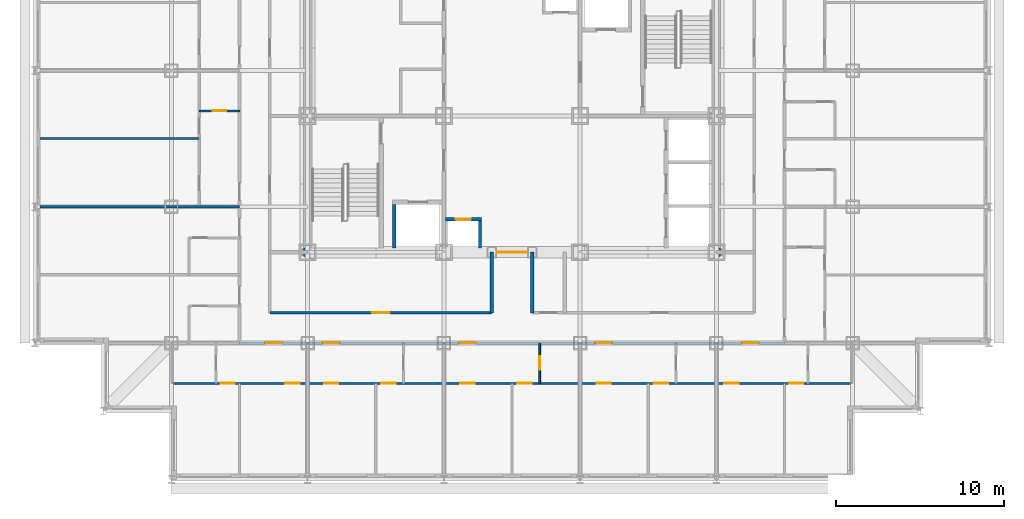
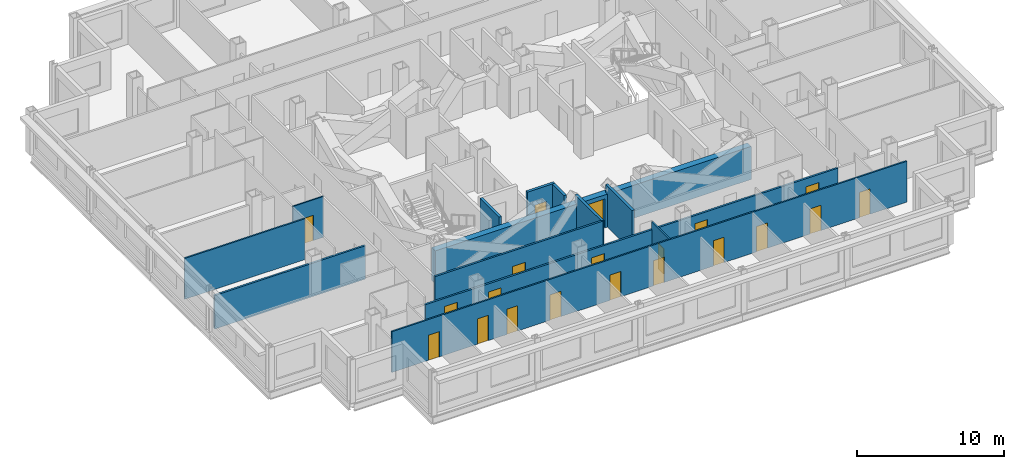
# One storey, part 5 of 12: 20 doors, 13 walls, 20 openings.
"""IFC4 building model written with IfcOpenShell, lengths in metres."""

from ifc_helpers import new_model, si_unit, direction, frame, frame_2d, origin, place, context, subcontext, project, spatial, rectangle, extrude, material, layer, layer_set, type_object, element, fill, save


model = new_model("IFC4")

# Units and contexts
model_context = context("Model", 3, precision=1e-05, world=origin(), true_north=direction((0.0, 1.0)))
body_context = subcontext(model_context, "Body", "Model", "MODEL_VIEW")
ifc_project = project(units=[si_unit("LENGTHUNIT", "METRE"), si_unit("AREAUNIT", "SQUARE_METRE"), si_unit("VOLUMEUNIT", "CUBIC_METRE"), si_unit("PLANEANGLEUNIT", "RADIAN"), si_unit("MASSUNIT", "GRAM", prefix="KILO")], contexts=[model_context])

# Site, building, storey
site_placement = place(None, origin())
site = spatial("IfcSite", under=ifc_project, at=site_placement, CompositionType="ELEMENT")
building_placement = place(site_placement, origin())
building = spatial("IfcBuilding", under=site, at=building_placement, Name="Kopane Lantern Tower", CompositionType="ELEMENT")
storey_placement = place(building_placement, frame((0.0, 0.0, 184.800048828125)))
storey = spatial("IfcBuildingStorey", under=building, at=storey_placement, Name="L47", CompositionType="ELEMENT", Elevation=184.800048828125)

# Wall
ifc_material_1 = material(Name="Gypsum board on steel studs", Category="steel")
ifc_layer_1 = layer(ifc_material_1, 0.1201171875)
ifc_layer_set_1 = layer_set([ifc_layer_1], Name="APARTMENT INTERNAL WALL 120")
wall_type_1 = type_object("IfcWallType", Name="APARTMENT INTERNAL WALL 120", PredefinedType="PARTITIONING", material=ifc_layer_set_1)
wall_1_placement = place(storey_placement, frame((9.75, 31.050048828125, 0.0), z_axis=(0.0, 0.0, 1.0), x_axis=(-1.0, 0.0, 0.0)))
element("IfcWall", 1, at=wall_1_placement, inside=storey, type_object=wall_type_1, Name="Apartment Internal Wall 120 L47", PredefinedType="PARTITIONING", context=body_context, shape_type="SweptSolid", body=[
    extrude(rectangle(XDim=9.449951171875, YDim=0.1201171875, at=frame_2d((4.72509765625, 0.0))), origin(), (0.0, 0.0, 1.0), 3.389892578125),
])

# Wall, openings, doors
wall_2_placement = place(storey_placement, frame((8.14990234375, 16.5, 0.0), z_axis=(0.0, 0.0, 1.0), x_axis=(1.0, 0.0, 0.0)))
wall_2 = element("IfcWall", 2, at=wall_2_placement, inside=storey, type_object=wall_type_1, Name="Apartment Internal Wall 120 L47", PredefinedType="PARTITIONING", context=body_context, shape_type="SweptSolid", body=[
    extrude(rectangle(XDim=40.400146484375, YDim=0.1201171875, at=frame_2d((20.2001953125, 0.0))), origin(), (0.0, 0.0, 1.0), 3.389892578125),
])
opening_1_placement = place(wall_2_placement, frame((9.02490234375, 0.0, 0.0)))
opening_1 = element("IfcOpeningElement", 3, at=opening_1_placement, cuts=wall_2, Name="Opening L47-014", PredefinedType="OPENING", context=body_context, shape_type="SweptSolid", body=[
    extrude(rectangle(XDim=0.85009765625, YDim=2.10009765625, at=frame_2d((0.425048828125, 1.050048828125))), frame((0.0, 0.070068359375, 0.0), z_axis=(0.0, -1.0, 0.0), x_axis=(1.0, 0.0, 0.0)), (0.0, 0.0, 1.0), 0.14013671875),
])
opening_2_placement = place(wall_2_placement, frame((12.425048828125, 0.0, 0.0)))
opening_2 = element("IfcOpeningElement", 4, at=opening_2_placement, cuts=wall_2, Name="Opening L47-015", PredefinedType="OPENING", context=body_context, shape_type="SweptSolid", body=[
    extrude(rectangle(XDim=0.85009765625, YDim=2.10009765625, at=frame_2d((0.425048828125, 1.050048828125))), frame((0.0, 0.070068359375, 0.0), z_axis=(0.0, -1.0, 0.0), x_axis=(1.0, 0.0, 0.0)), (0.0, 0.0, 1.0), 0.14013671875),
])
opening_3_placement = place(wall_2_placement, frame((17.125, 0.0, 0.0)))
opening_3 = element("IfcOpeningElement", 5, at=opening_3_placement, cuts=wall_2, Name="Opening L47-018", PredefinedType="OPENING", context=body_context, shape_type="SweptSolid", body=[
    extrude(rectangle(XDim=0.85009765625, YDim=2.10009765625, at=frame_2d((0.425048828125, 1.050048828125))), frame((0.0, 0.070068359375, 0.0), z_axis=(0.0, -1.0, 0.0), x_axis=(1.0, 0.0, 0.0)), (0.0, 0.0, 1.0), 0.14013671875),
])
opening_4_placement = place(wall_2_placement, frame((20.52490234375, 0.0, 0.0)))
opening_4 = element("IfcOpeningElement", 6, at=opening_4_placement, cuts=wall_2, Name="Opening L47-019", PredefinedType="OPENING", context=body_context, shape_type="SweptSolid", body=[
    extrude(rectangle(XDim=0.85009765625, YDim=2.10009765625, at=frame_2d((0.425048828125, 1.050048828125))), frame((0.0, 0.070068359375, 0.0), z_axis=(0.0, -1.0, 0.0), x_axis=(1.0, 0.0, 0.0)), (0.0, 0.0, 1.0), 0.14013671875),
])
opening_5_placement = place(wall_2_placement, frame((25.22509765625, 0.0, 0.0)))
opening_5 = element("IfcOpeningElement", 7, at=opening_5_placement, cuts=wall_2, Name="Opening L47-022", PredefinedType="OPENING", context=body_context, shape_type="SweptSolid", body=[
    extrude(rectangle(XDim=0.85009765625, YDim=2.10009765625, at=frame_2d((0.425048828125, 1.050048828125))), frame((0.0, 0.070068359375, 0.0), z_axis=(0.0, -1.0, 0.0), x_axis=(1.0, 0.0, 0.0)), (0.0, 0.0, 1.0), 0.14013671875),
])
opening_6_placement = place(wall_2_placement, frame((28.625, 0.0, 0.0)))
opening_6 = element("IfcOpeningElement", 8, at=opening_6_placement, cuts=wall_2, Name="Opening L47-023", PredefinedType="OPENING", context=body_context, shape_type="SweptSolid", body=[
    extrude(rectangle(XDim=0.85009765625, YDim=2.10009765625, at=frame_2d((0.425048828125, 1.050048828125))), frame((0.0, 0.070068359375, 0.0), z_axis=(0.0, -1.0, 0.0), x_axis=(1.0, 0.0, 0.0)), (0.0, 0.0, 1.0), 0.14013671875),
])
opening_7_placement = place(wall_2_placement, frame((6.72509765625, 0.0, 0.0)))
opening_7 = element("IfcOpeningElement", 9, at=opening_7_placement, cuts=wall_2, Name="Opening L47-061", PredefinedType="OPENING", context=body_context, shape_type="SweptSolid", body=[
    extrude(rectangle(XDim=0.85009765625, YDim=2.10009765625, at=frame_2d((0.425048828125, 1.050048828125))), frame((0.0, 0.070068359375, 0.0), z_axis=(0.0, -1.0, 0.0), x_axis=(1.0, 0.0, 0.0)), (0.0, 0.0, 1.0), 0.14013671875),
])
opening_8_placement = place(wall_2_placement, frame((2.875, 0.0, 0.0)))
opening_8 = element("IfcOpeningElement", 10, at=opening_8_placement, cuts=wall_2, Name="Opening L47-063", PredefinedType="OPENING", context=body_context, shape_type="SweptSolid", body=[
    extrude(rectangle(XDim=0.85009765625, YDim=2.10009765625, at=frame_2d((0.425048828125, 1.050048828125))), frame((0.0, 0.070068359375, 0.0), z_axis=(0.0, -1.0, 0.0), x_axis=(1.0, 0.0, 0.0)), (0.0, 0.0, 1.0), 0.14013671875),
])
opening_9_placement = place(wall_2_placement, frame((32.824951171875, 0.0, 0.0)))
opening_9 = element("IfcOpeningElement", 11, at=opening_9_placement, cuts=wall_2, Name="Opening L47-065", PredefinedType="OPENING", context=body_context, shape_type="SweptSolid", body=[
    extrude(rectangle(XDim=0.85009765625, YDim=2.10009765625, at=frame_2d((0.425048828125, 1.050048828125))), frame((0.0, 0.070068359375, 0.0), z_axis=(0.0, -1.0, 0.0), x_axis=(1.0, 0.0, 0.0)), (0.0, 0.0, 1.0), 0.14013671875),
])
opening_10_placement = place(wall_2_placement, frame((36.675048828125, 0.0, 0.0)))
opening_10 = element("IfcOpeningElement", 12, at=opening_10_placement, cuts=wall_2, Name="Opening L47-067", PredefinedType="OPENING", context=body_context, shape_type="SweptSolid", body=[
    extrude(rectangle(XDim=0.85009765625, YDim=2.10009765625, at=frame_2d((0.425048828125, 1.050048828125))), frame((0.0, 0.070068359375, 0.0), z_axis=(0.0, -1.0, 0.0), x_axis=(1.0, 0.0, 0.0)), (0.0, 0.0, 1.0), 0.14013671875),
])
ifc_material_2 = material(Name="Timber door set", Category="wood")
door_type_1 = type_object("IfcDoorType", Name="DOOR D4 850x2100", OperationType="SINGLE_SWING_LEFT", PredefinedType="DOOR", material=ifc_material_2)
door_1_placement = place(opening_1_placement, origin())
door_1 = element("IfcDoor", 13, at=door_1_placement, inside=storey, type_object=door_type_1, Name="Door L47-014", OperationType="SINGLE_SWING_LEFT", OverallHeight=2.10009765625, OverallWidth=0.85009765625, PredefinedType="DOOR", context=body_context, shape_type="SweptSolid", body=[
    extrude(rectangle(XDim=0.85009765625, YDim=2.10009765625, at=frame_2d((0.425048828125, 1.050048828125))), frame((0.0, 0.02490234375, 0.0), z_axis=(0.0, -1.0, 0.0), x_axis=(1.0, 0.0, 0.0)), (0.0, 0.0, 1.0), 0.050048828125),
])
fill(opening_1, door_1)
door_2_placement = place(opening_2_placement, origin())
door_2 = element("IfcDoor", 14, at=door_2_placement, inside=storey, type_object=door_type_1, Name="Door L47-015", OperationType="SINGLE_SWING_RIGHT", OverallHeight=2.10009765625, OverallWidth=0.85009765625, PredefinedType="DOOR", context=body_context, shape_type="SweptSolid", body=[
    extrude(rectangle(XDim=0.85009765625, YDim=2.10009765625, at=frame_2d((0.425048828125, 1.050048828125))), frame((0.0, 0.02490234375, 0.0), z_axis=(0.0, -1.0, 0.0), x_axis=(1.0, 0.0, 0.0)), (0.0, 0.0, 1.0), 0.050048828125),
])
fill(opening_2, door_2)
door_3_placement = place(opening_3_placement, origin())
door_3 = element("IfcDoor", 15, at=door_3_placement, inside=storey, type_object=door_type_1, Name="Door L47-018", OperationType="SINGLE_SWING_LEFT", OverallHeight=2.10009765625, OverallWidth=0.85009765625, PredefinedType="DOOR", context=body_context, shape_type="SweptSolid", body=[
    extrude(rectangle(XDim=0.85009765625, YDim=2.10009765625, at=frame_2d((0.425048828125, 1.050048828125))), frame((0.0, 0.02490234375, 0.0), z_axis=(0.0, -1.0, 0.0), x_axis=(1.0, 0.0, 0.0)), (0.0, 0.0, 1.0), 0.050048828125),
])
fill(opening_3, door_3)
door_4_placement = place(opening_4_placement, origin())
door_4 = element("IfcDoor", 16, at=door_4_placement, inside=storey, type_object=door_type_1, Name="Door L47-019", OperationType="SINGLE_SWING_RIGHT", OverallHeight=2.10009765625, OverallWidth=0.85009765625, PredefinedType="DOOR", context=body_context, shape_type="SweptSolid", body=[
    extrude(rectangle(XDim=0.85009765625, YDim=2.10009765625, at=frame_2d((0.425048828125, 1.050048828125))), frame((0.0, 0.02490234375, 0.0), z_axis=(0.0, -1.0, 0.0), x_axis=(1.0, 0.0, 0.0)), (0.0, 0.0, 1.0), 0.050048828125),
])
fill(opening_4, door_4)
door_5_placement = place(opening_5_placement, origin())
door_5 = element("IfcDoor", 17, at=door_5_placement, inside=storey, type_object=door_type_1, Name="Door L47-022", OperationType="SINGLE_SWING_LEFT", OverallHeight=2.10009765625, OverallWidth=0.85009765625, PredefinedType="DOOR", context=body_context, shape_type="SweptSolid", body=[
    extrude(rectangle(XDim=0.85009765625, YDim=2.10009765625, at=frame_2d((0.425048828125, 1.050048828125))), frame((0.0, 0.02490234375, 0.0), z_axis=(0.0, -1.0, 0.0), x_axis=(1.0, 0.0, 0.0)), (0.0, 0.0, 1.0), 0.050048828125),
])
fill(opening_5, door_5)
door_6_placement = place(opening_6_placement, origin())
door_6 = element("IfcDoor", 18, at=door_6_placement, inside=storey, type_object=door_type_1, Name="Door L47-023", OperationType="SINGLE_SWING_RIGHT", OverallHeight=2.10009765625, OverallWidth=0.85009765625, PredefinedType="DOOR", context=body_context, shape_type="SweptSolid", body=[
    extrude(rectangle(XDim=0.85009765625, YDim=2.10009765625, at=frame_2d((0.425048828125, 1.050048828125))), frame((0.0, 0.02490234375, 0.0), z_axis=(0.0, -1.0, 0.0), x_axis=(1.0, 0.0, 0.0)), (0.0, 0.0, 1.0), 0.050048828125),
])
fill(opening_6, door_6)
door_7_placement = place(opening_7_placement, origin())
door_7 = element("IfcDoor", 19, at=door_7_placement, inside=storey, type_object=door_type_1, Name="Door L47-061", OperationType="SINGLE_SWING_RIGHT", OverallHeight=2.10009765625, OverallWidth=0.85009765625, PredefinedType="DOOR", context=body_context, shape_type="SweptSolid", body=[
    extrude(rectangle(XDim=0.85009765625, YDim=2.10009765625, at=frame_2d((0.425048828125, 1.050048828125))), frame((0.0, 0.02490234375, 0.0), z_axis=(0.0, -1.0, 0.0), x_axis=(1.0, 0.0, 0.0)), (0.0, 0.0, 1.0), 0.050048828125),
])
fill(opening_7, door_7)
door_8_placement = place(opening_8_placement, origin())
door_8 = element("IfcDoor", 20, at=door_8_placement, inside=storey, type_object=door_type_1, Name="Door L47-063", OperationType="SINGLE_SWING_LEFT", OverallHeight=2.10009765625, OverallWidth=0.85009765625, PredefinedType="DOOR", context=body_context, shape_type="SweptSolid", body=[
    extrude(rectangle(XDim=0.85009765625, YDim=2.10009765625, at=frame_2d((0.425048828125, 1.050048828125))), frame((0.0, 0.02490234375, 0.0), z_axis=(0.0, -1.0, 0.0), x_axis=(1.0, 0.0, 0.0)), (0.0, 0.0, 1.0), 0.050048828125),
])
fill(opening_8, door_8)
door_9_placement = place(opening_9_placement, origin())
door_9 = element("IfcDoor", 21, at=door_9_placement, inside=storey, type_object=door_type_1, Name="Door L47-065", OperationType="SINGLE_SWING_LEFT", OverallHeight=2.10009765625, OverallWidth=0.85009765625, PredefinedType="DOOR", context=body_context, shape_type="SweptSolid", body=[
    extrude(rectangle(XDim=0.85009765625, YDim=2.10009765625, at=frame_2d((0.425048828125, 1.050048828125))), frame((0.0, 0.02490234375, 0.0), z_axis=(0.0, -1.0, 0.0), x_axis=(1.0, 0.0, 0.0)), (0.0, 0.0, 1.0), 0.050048828125),
])
fill(opening_9, door_9)
door_10_placement = place(opening_10_placement, origin())
door_10 = element("IfcDoor", 22, at=door_10_placement, inside=storey, type_object=door_type_1, Name="Door L47-067", OperationType="SINGLE_SWING_RIGHT", OverallHeight=2.10009765625, OverallWidth=0.85009765625, PredefinedType="DOOR", context=body_context, shape_type="SweptSolid", body=[
    extrude(rectangle(XDim=0.85009765625, YDim=2.10009765625, at=frame_2d((0.425048828125, 1.050048828125))), frame((0.0, 0.02490234375, 0.0), z_axis=(0.0, -1.0, 0.0), x_axis=(1.0, 0.0, 0.0)), (0.0, 0.0, 1.0), 0.050048828125),
])
fill(opening_10, door_10)

# Wall, opening, door
ifc_material_3 = material(Name="Moisture-resistant board on steel studs", Category="steel")
ifc_layer_2 = layer(ifc_material_3, 0.10009765625)
ifc_layer_set_2 = layer_set([ifc_layer_2], Name="BATHROOM WALL 100")
wall_type_2 = type_object("IfcWallType", Name="BATHROOM WALL 100", PredefinedType="PARTITIONING", material=ifc_layer_set_2)
wall_3_placement = place(storey_placement, frame((30.0, 18.89990234375, 0.0), z_axis=(0.0, 0.0, 1.0), x_axis=(0.0, -1.0, 0.0)))
wall_3 = element("IfcWall", 23, at=wall_3_placement, inside=storey, type_object=wall_type_2, Name="Bathroom Wall 100 L47", PredefinedType="PARTITIONING", context=body_context, shape_type="SweptSolid", body=[
    extrude(rectangle(XDim=2.39990234375, YDim=0.10009765625, at=frame_2d((1.199951171875, 0.0))), origin(), (0.0, 0.0, 1.0), 3.389892578125),
])
opening_11_placement = place(wall_3_placement, frame((0.800048828125, 0.0, 0.0)))
opening_11 = element("IfcOpeningElement", 24, at=opening_11_placement, cuts=wall_3, Name="Opening L47-016", PredefinedType="OPENING", context=body_context, shape_type="SweptSolid", body=[
    extrude(rectangle(XDim=0.800048828125, YDim=2.10009765625, at=frame_2d((0.39990234375, 1.050048828125))), frame((0.0, 0.06005859375, 0.0), z_axis=(0.0, -1.0, 0.0), x_axis=(1.0, 0.0, 0.0)), (0.0, 0.0, 1.0), 0.1201171875),
])
ifc_material_4 = material(Name="Timber door set", Category="wood")
door_type_2 = type_object("IfcDoorType", Name="DOOR D2 800x2100", OperationType="SINGLE_SWING_LEFT", PredefinedType="DOOR", material=ifc_material_4)
door_11_placement = place(opening_11_placement, origin())
door_11 = element("IfcDoor", 25, at=door_11_placement, inside=storey, type_object=door_type_2, Name="Door L47-016", OperationType="SINGLE_SWING_LEFT", OverallHeight=2.10009765625, OverallWidth=0.800048828125, PredefinedType="DOOR", context=body_context, shape_type="SweptSolid", body=[
    extrude(rectangle(XDim=0.800048828125, YDim=2.10009765625, at=frame_2d((0.39990234375, 1.050048828125))), frame((0.0, 0.02490234375, 0.0), z_axis=(0.0, -1.0, 0.0), x_axis=(1.0, 0.0, 0.0)), (0.0, 0.0, 1.0), 0.050048828125),
])
fill(opening_11, door_11)

wall_4_placement = place(storey_placement, frame((12.14990234375, 32.699951171875, 0.0), z_axis=(0.0, 0.0, 1.0), x_axis=(-1.0, 0.0, 0.0)))
wall_4 = element("IfcWall", 26, at=wall_4_placement, inside=storey, type_object=wall_type_2, Name="Bathroom Wall 100 L47", PredefinedType="PARTITIONING", context=body_context, shape_type="SweptSolid", body=[
    extrude(rectangle(XDim=2.39990234375, YDim=0.10009765625, at=frame_2d((1.199951171875, 0.0))), origin(), (0.0, 0.0, 1.0), 3.389892578125),
])
opening_12_placement = place(wall_4_placement, frame((0.800048828125, 0.0, 0.0)))
opening_12 = element("IfcOpeningElement", 27, at=opening_12_placement, cuts=wall_4, Name="Opening L47-036", PredefinedType="OPENING", context=body_context, shape_type="SweptSolid", body=[
    extrude(rectangle(XDim=0.800048828125, YDim=2.10009765625, at=frame_2d((0.39990234375, 1.050048828125))), frame((0.0, 0.06005859375, 0.0), z_axis=(0.0, -1.0, 0.0), x_axis=(1.0, 0.0, 0.0)), (0.0, 0.0, 1.0), 0.1201171875),
])
door_12_placement = place(opening_12_placement, origin())
door_12 = element("IfcDoor", 28, at=door_12_placement, inside=storey, type_object=door_type_2, Name="Door L47-036", OperationType="SINGLE_SWING_RIGHT", OverallHeight=2.10009765625, OverallWidth=0.800048828125, PredefinedType="DOOR", context=body_context, shape_type="SweptSolid", body=[
    extrude(rectangle(XDim=0.800048828125, YDim=2.10009765625, at=frame_2d((0.39990234375, 1.050048828125))), frame((0.0, 0.02490234375, 0.0), z_axis=(0.0, -1.0, 0.0), x_axis=(1.0, 0.0, 0.0)), (0.0, 0.0, 1.0), 0.050048828125),
])
fill(opening_12, door_12)

ifc_material_5 = material(Name="Gypsum shaft wall EI 120", Category="gypsum")
ifc_layer_3 = layer(ifc_material_5, 0.5)
ifc_layer_set_3 = layer_set([ifc_layer_3], Name="CORE PERIMETER WALL 500 EI 120")
wall_type_3 = type_object("IfcWallType", Name="CORE PERIMETER WALL 500 EI 120", PredefinedType="SOLIDWALL", material=ifc_layer_set_3)
wall_5_placement = place(storey_placement, frame((15.949951171875, 24.300048828125, 0.0), z_axis=(0.0, 0.0, 1.0), x_axis=(1.0, 0.0, 0.0)))
wall_5 = element("IfcWall", 29, at=wall_5_placement, inside=storey, type_object=wall_type_3, Name="Core shaft wall L47 PS", PredefinedType="SOLIDWALL", context=body_context, shape_type="SweptSolid", body=[
    extrude(rectangle(XDim=24.800048828125, YDim=0.5, at=frame_2d((12.39990234375, 0.0))), origin(), (0.0, 0.0, 1.0), 2.739990234375),
])
opening_13_placement = place(wall_5_placement, frame((11.5, 0.0, 0.0)))
opening_13 = element("IfcOpeningElement", 30, at=opening_13_placement, cuts=wall_5, Name="Opening 47.CE-S", PredefinedType="OPENING", context=body_context, shape_type="SweptSolid", body=[
    extrude(rectangle(XDim=1.800048828125, YDim=2.39990234375, at=frame_2d((0.89990234375, 1.199951171875))), frame((0.0, 0.260009765625, 0.0), z_axis=(0.0, -1.0, 0.0), x_axis=(1.0, 0.0, 0.0)), (0.0, 0.0, 1.0), 0.52001953125),
])
ifc_material_6 = material(Name="Steel door set", Category="steel")
door_type_3 = type_object("IfcDoorType", Name="CORE ENTRY DOOR 1800x2400 FD60S", OperationType="DOUBLE_DOOR_SINGLE_SWING", PredefinedType="DOOR", material=ifc_material_6)
door_13_placement = place(opening_13_placement, origin())
door_13 = element("IfcDoor", 31, at=door_13_placement, inside=storey, type_object=door_type_3, Name="Core entry door L47 south", OperationType="DOUBLE_DOOR_SINGLE_SWING", OverallHeight=2.39990234375, OverallWidth=1.800048828125, PredefinedType="DOOR", context=body_context, shape_type="SweptSolid", body=[
    extrude(rectangle(XDim=1.800048828125, YDim=2.39990234375, at=frame_2d((0.89990234375, 1.199951171875))), frame((0.0, 0.02490234375, 0.0), z_axis=(0.0, -1.0, 0.0), x_axis=(1.0, 0.0, 0.0)), (0.0, 0.0, 1.0), 0.050048828125),
])
fill(opening_13, door_13)

# Wall, openings, doors
ifc_material_7 = material(Name="Gypsum board on steel studs", Category="steel")
ifc_layer_4 = layer(ifc_material_7, 0.14990234375)
ifc_layer_set_4 = layer_set([ifc_layer_4], Name="CORRIDOR WALL 150 EI 60")
wall_type_4 = type_object("IfcWallType", Name="CORRIDOR WALL 150 EI 60", PredefinedType="PARTITIONING", material=ifc_layer_set_4)
wall_6_placement = place(storey_placement, frame((12.14990234375, 18.89990234375, 0.0), z_axis=(0.0, 0.0, 1.0), x_axis=(1.0, 0.0, 0.0)))
wall_6 = element("IfcWall", 32, at=wall_6_placement, inside=storey, type_object=wall_type_4, Name="Corridor Wall 150 Ei 60 L47", PredefinedType="PARTITIONING", context=body_context, shape_type="SweptSolid", body=[
    extrude(rectangle(XDim=32.400146484375, YDim=0.14990234375, at=frame_2d((16.2001953125, 0.0))), origin(), (0.0, 0.0, 1.0), 2.77783203125),
])
opening_14_placement = place(wall_6_placement, frame((4.949951171875, 0.0, 0.0)))
opening_14 = element("IfcOpeningElement", 33, at=opening_14_placement, cuts=wall_6, Name="Opening L47-013", PredefinedType="OPENING", context=body_context, shape_type="SweptSolid", body=[
    extrude(rectangle(XDim=1.0, YDim=2.10009765625, at=frame_2d((0.5, 1.050048828125))), frame((0.0, 0.0849609375, 0.0), z_axis=(0.0, -1.0, 0.0), x_axis=(1.0, 0.0, 0.0)), (0.0, 0.0, 1.0), 0.169921875),
])
opening_15_placement = place(wall_6_placement, frame((13.050048828125, 0.0, 0.0)))
opening_15 = element("IfcOpeningElement", 34, at=opening_15_placement, cuts=wall_6, Name="Opening L47-017", PredefinedType="OPENING", context=body_context, shape_type="SweptSolid", body=[
    extrude(rectangle(XDim=1.0, YDim=2.10009765625, at=frame_2d((0.5, 1.050048828125))), frame((0.0, 0.0849609375, 0.0), z_axis=(0.0, -1.0, 0.0), x_axis=(1.0, 0.0, 0.0)), (0.0, 0.0, 1.0), 0.169921875),
])
opening_16_placement = place(wall_6_placement, frame((21.14990234375, 0.0, 0.0)))
opening_16 = element("IfcOpeningElement", 35, at=opening_16_placement, cuts=wall_6, Name="Opening L47-021", PredefinedType="OPENING", context=body_context, shape_type="SweptSolid", body=[
    extrude(rectangle(XDim=1.0, YDim=2.10009765625, at=frame_2d((0.5, 1.050048828125))), frame((0.0, 0.0849609375, 0.0), z_axis=(0.0, -1.0, 0.0), x_axis=(1.0, 0.0, 0.0)), (0.0, 0.0, 1.0), 0.169921875),
])
opening_17_placement = place(wall_6_placement, frame((1.52490234375, 0.0, 0.0)))
opening_17 = element("IfcOpeningElement", 36, at=opening_17_placement, cuts=wall_6, Name="Opening L47-060", PredefinedType="OPENING", context=body_context, shape_type="SweptSolid", body=[
    extrude(rectangle(XDim=1.0, YDim=2.10009765625, at=frame_2d((0.5, 1.050048828125))), frame((0.0, 0.0849609375, 0.0), z_axis=(0.0, -1.0, 0.0), x_axis=(1.0, 0.0, 0.0)), (0.0, 0.0, 1.0), 0.169921875),
])
opening_18_placement = place(wall_6_placement, frame((29.875, 0.0, 0.0)))
opening_18 = element("IfcOpeningElement", 37, at=opening_18_placement, cuts=wall_6, Name="Opening L47-064", PredefinedType="OPENING", context=body_context, shape_type="SweptSolid", body=[
    extrude(rectangle(XDim=1.0, YDim=2.10009765625, at=frame_2d((0.5, 1.050048828125))), frame((0.0, 0.0849609375, 0.0), z_axis=(0.0, -1.0, 0.0), x_axis=(1.0, 0.0, 0.0)), (0.0, 0.0, 1.0), 0.169921875),
])
ifc_material_8 = material(Name="Steel door set", Category="steel")
door_type_4 = type_object("IfcDoorType", Name="DOOR D3 1000x2100 FD30S", OperationType="SINGLE_SWING_LEFT", PredefinedType="DOOR", material=ifc_material_8)
door_14_placement = place(opening_14_placement, origin())
door_14 = element("IfcDoor", 38, at=door_14_placement, inside=storey, type_object=door_type_4, Name="Door L47-013", OperationType="SINGLE_SWING_RIGHT", OverallHeight=2.10009765625, OverallWidth=1.0, PredefinedType="DOOR", context=body_context, shape_type="SweptSolid", body=[
    extrude(rectangle(XDim=1.0, YDim=2.10009765625, at=frame_2d((0.5, 1.050048828125))), frame((0.0, 0.02490234375, 0.0), z_axis=(0.0, -1.0, 0.0), x_axis=(1.0, 0.0, 0.0)), (0.0, 0.0, 1.0), 0.050048828125),
])
fill(opening_14, door_14)
door_15_placement = place(opening_15_placement, origin())
door_15 = element("IfcDoor", 39, at=door_15_placement, inside=storey, type_object=door_type_4, Name="Door L47-017", OperationType="SINGLE_SWING_RIGHT", OverallHeight=2.10009765625, OverallWidth=1.0, PredefinedType="DOOR", context=body_context, shape_type="SweptSolid", body=[
    extrude(rectangle(XDim=1.0, YDim=2.10009765625, at=frame_2d((0.5, 1.050048828125))), frame((0.0, 0.02490234375, 0.0), z_axis=(0.0, -1.0, 0.0), x_axis=(1.0, 0.0, 0.0)), (0.0, 0.0, 1.0), 0.050048828125),
])
fill(opening_15, door_15)
door_16_placement = place(opening_16_placement, origin())
door_16 = element("IfcDoor", 40, at=door_16_placement, inside=storey, type_object=door_type_4, Name="Door L47-021", OperationType="SINGLE_SWING_RIGHT", OverallHeight=2.10009765625, OverallWidth=1.0, PredefinedType="DOOR", context=body_context, shape_type="SweptSolid", body=[
    extrude(rectangle(XDim=1.0, YDim=2.10009765625, at=frame_2d((0.5, 1.050048828125))), frame((0.0, 0.02490234375, 0.0), z_axis=(0.0, -1.0, 0.0), x_axis=(1.0, 0.0, 0.0)), (0.0, 0.0, 1.0), 0.050048828125),
])
fill(opening_16, door_16)
door_17_placement = place(opening_17_placement, origin())
door_17 = element("IfcDoor", 41, at=door_17_placement, inside=storey, type_object=door_type_4, Name="Door L47-060", OperationType="SINGLE_SWING_LEFT", OverallHeight=2.10009765625, OverallWidth=1.0, PredefinedType="DOOR", context=body_context, shape_type="SweptSolid", body=[
    extrude(rectangle(XDim=1.0, YDim=2.10009765625, at=frame_2d((0.5, 1.050048828125))), frame((0.0, 0.02490234375, 0.0), z_axis=(0.0, -1.0, 0.0), x_axis=(1.0, 0.0, 0.0)), (0.0, 0.0, 1.0), 0.050048828125),
])
fill(opening_17, door_17)
door_18_placement = place(opening_18_placement, origin())
door_18 = element("IfcDoor", 42, at=door_18_placement, inside=storey, type_object=door_type_4, Name="Door L47-064", OperationType="SINGLE_SWING_RIGHT", OverallHeight=2.10009765625, OverallWidth=1.0, PredefinedType="DOOR", context=body_context, shape_type="SweptSolid", body=[
    extrude(rectangle(XDim=1.0, YDim=2.10009765625, at=frame_2d((0.5, 1.050048828125))), frame((0.0, 0.02490234375, 0.0), z_axis=(0.0, -1.0, 0.0), x_axis=(1.0, 0.0, 0.0)), (0.0, 0.0, 1.0), 0.050048828125),
])
fill(opening_18, door_18)

# Wall, opening, door
wall_7_placement = place(storey_placement, frame((13.949951171875, 20.699951171875, 0.0), z_axis=(0.0, 0.0, 1.0), x_axis=(1.0, 0.0, 0.0)))
wall_7 = element("IfcWall", 43, at=wall_7_placement, inside=storey, type_object=wall_type_4, Name="Corridor Wall 150 Ei 60 L47", PredefinedType="PARTITIONING", context=body_context, shape_type="SweptSolid", body=[
    extrude(rectangle(XDim=13.18994140625, YDim=0.14990234375, at=frame_2d((6.594970703125, 0.0))), origin(), (0.0, 0.0, 1.0), 3.389892578125),
])
opening_19_placement = place(wall_7_placement, frame((6.10009765625, 0.0, 0.0)))
opening_19 = element("IfcOpeningElement", 44, at=opening_19_placement, cuts=wall_7, Name="Opening L47-005", PredefinedType="OPENING", context=body_context, shape_type="SweptSolid", body=[
    extrude(rectangle(XDim=1.0, YDim=2.10009765625, at=frame_2d((0.5, 1.050048828125))), frame((0.0, 0.0849609375, 0.0), z_axis=(0.0, -1.0, 0.0), x_axis=(1.0, 0.0, 0.0)), (0.0, 0.0, 1.0), 0.169921875),
])
ifc_material_9 = material(Name="Steel door set", Category="steel")
door_type_5 = type_object("IfcDoorType", Name="DOOR D5 1000x2100 FD60", OperationType="SINGLE_SWING_LEFT", PredefinedType="DOOR", material=ifc_material_9)
door_19_placement = place(opening_19_placement, origin())
door_19 = element("IfcDoor", 45, at=door_19_placement, inside=storey, type_object=door_type_5, Name="Door L47-005", OperationType="SINGLE_SWING_LEFT", OverallHeight=2.10009765625, OverallWidth=1.0, PredefinedType="DOOR", context=body_context, shape_type="SweptSolid", body=[
    extrude(rectangle(XDim=1.0, YDim=2.10009765625, at=frame_2d((0.5, 1.050048828125))), frame((0.0, 0.02490234375, 0.0), z_axis=(0.0, -1.0, 0.0), x_axis=(1.0, 0.0, 0.0)), (0.0, 0.0, 1.0), 0.050048828125),
])
fill(opening_19, door_19)

# Walls
ifc_material_10 = material(Name="Gypsum board on steel studs", Category="steel")
ifc_layer_5 = layer(ifc_material_10, 0.14990234375)
ifc_layer_set_5 = layer_set([ifc_layer_5], Name="DEMISING WALL 150 EI 60")
wall_type_5 = type_object("IfcWallType", Name="DEMISING WALL 150 EI 60", PredefinedType="PARTITIONING", material=ifc_layer_set_5)
wall_8_placement = place(storey_placement, frame((12.14990234375, 27.0, 0.0), z_axis=(0.0, 0.0, 1.0), x_axis=(-1.0, 0.0, 0.0)))
element("IfcWall", 46, at=wall_8_placement, inside=storey, type_object=wall_type_5, Name="Demising Wall 150 Ei 60 L47", PredefinedType="PARTITIONING", context=body_context, shape_type="SweptSolid", body=[
    extrude(rectangle(XDim=11.849853515625, YDim=0.14990234375, at=frame_2d((5.9248046875, 0.0))), origin(), (0.0, 0.0, 1.0), 2.77783203125),
])
ifc_material_11 = material(Name="Concrete masonry", Category="masonry")
ifc_layer_6 = layer(ifc_material_11, 0.199951171875)
ifc_layer_set_6 = layer_set([ifc_layer_6], Name="PLANT ROOM WALL 200 EI 120")
wall_type_6 = type_object("IfcWallType", Name="PLANT ROOM WALL 200 EI 120", PredefinedType="SOLIDWALL", material=ifc_layer_set_6)
for number, where, z_axis, x_axis, name in (
    (47, (27.14990234375, 20.699951171875, 0.0), (0.0, 0.0, 1.0), (0.0, 1.0, 0.0), "Plant Room Wall 200 Ei 120 L47"),
    (48, (29.550048828125, 20.699951171875, 0.0), (0.0, 0.0, 1.0), (0.0, 1.0, 0.0), "Plant Room Wall 200 Ei 120 L47"),
):
    element("IfcWall", number, at=place(storey_placement, frame(where, z_axis=z_axis, x_axis=x_axis)), inside=storey, type_object=wall_type_6, Name=name, PredefinedType="SOLIDWALL", context=body_context, shape_type="SweptSolid", body=[
        extrude(rectangle(XDim=3.60009765625, YDim=0.199951171875, at=frame_2d((1.800048828125, 0.0))), origin(), (0.0, 0.0, 1.0), 3.389892578125),
    ])
ifc_material_12 = material(Name="Gypsum shaft wall EI 120", Category="gypsum")
ifc_layer_7 = layer(ifc_material_12, 0.199951171875)
ifc_layer_set_7 = layer_set([ifc_layer_7], Name="SHAFT WALL 200 EI 120")
wall_type_7 = type_object("IfcWallType", Name="SHAFT WALL 200 EI 120", PredefinedType="SOLIDWALL", material=ifc_layer_set_7)
wall_9_placement = place(storey_placement, frame((21.35009765625, 24.550048828125, 0.0), z_axis=(0.0, 0.0, 1.0), x_axis=(0.0, 1.0, 0.0)))
element("IfcWall", 49, at=wall_9_placement, inside=storey, type_object=wall_type_7, Name="Core shaft wall L47 XLF1", PredefinedType="SOLIDWALL", context=body_context, shape_type="SweptSolid", body=[
    extrude(rectangle(XDim=2.599853515625, YDim=0.199951171875, at=frame_2d((1.2998046875, 0.0))), origin(), (0.0, 0.0, 1.0), 3.389892578125),
])
wall_10_placement = place(storey_placement, frame((26.449951171875, 24.550048828125, 0.0), z_axis=(0.0, 0.0, 1.0), x_axis=(0.0, 1.0, 0.0)))
element("IfcWall", 50, at=wall_10_placement, inside=storey, type_object=wall_type_7, Name="Core shaft wall L47 XRS1", PredefinedType="SOLIDWALL", context=body_context, shape_type="SweptSolid", body=[
    extrude(rectangle(XDim=1.599853515625, YDim=0.199951171875, at=frame_2d((0.7998046875, 0.0))), origin(), (0.0, 0.0, 1.0), 3.389892578125),
])

# Wall, opening, door
wall_11_placement = place(storey_placement, frame((24.39990234375, 26.25, 0.0), z_axis=(0.0, 0.0, 1.0), x_axis=(1.0, 0.0, 0.0)))
wall_11 = element("IfcWall", 51, at=wall_11_placement, inside=storey, type_object=wall_type_7, Name="Core shaft wall L47 YRS1", PredefinedType="SOLIDWALL", context=body_context, shape_type="SweptSolid", body=[
    extrude(rectangle(XDim=2.150146484375, YDim=0.199951171875, at=frame_2d((1.0751953125, 0.0))), origin(), (0.0, 0.0, 1.0), 3.389892578125),
])
opening_20_placement = place(wall_11_placement, frame((0.60009765625, 0.0, 0.0)))
opening_20 = element("IfcOpeningElement", 52, at=opening_20_placement, cuts=wall_11, Name="Opening 47.RS1", PredefinedType="OPENING", context=body_context, shape_type="SweptSolid", body=[
    extrude(rectangle(XDim=0.89990234375, YDim=2.10009765625, at=frame_2d((0.449951171875, 1.050048828125))), frame((0.0, 0.10986328125, 0.0), z_axis=(0.0, -1.0, 0.0), x_axis=(1.0, 0.0, 0.0)), (0.0, 0.0, 1.0), 0.219970703125),
])
ifc_material_13 = material(Name="Steel door set", Category="steel")
door_type_6 = type_object("IfcDoorType", Name="RISER ACCESS DOOR 900x2100 FD60", OperationType="SINGLE_SWING_LEFT", PredefinedType="DOOR", material=ifc_material_13)
door_20_placement = place(opening_20_placement, origin())
door_20 = element("IfcDoor", 53, at=door_20_placement, inside=storey, type_object=door_type_6, Name="Riser access door RS1 L47", OperationType="SINGLE_SWING_LEFT", OverallHeight=2.10009765625, OverallWidth=0.89990234375, PredefinedType="DOOR", context=body_context, shape_type="SweptSolid", body=[
    extrude(rectangle(XDim=0.89990234375, YDim=2.10009765625, at=frame_2d((0.449951171875, 1.050048828125))), frame((0.0, 0.02490234375, 0.0), z_axis=(0.0, -1.0, 0.0), x_axis=(1.0, 0.0, 0.0)), (0.0, 0.0, 1.0), 0.050048828125),
])
fill(opening_20, door_20)

save(model, "model.ifc")
